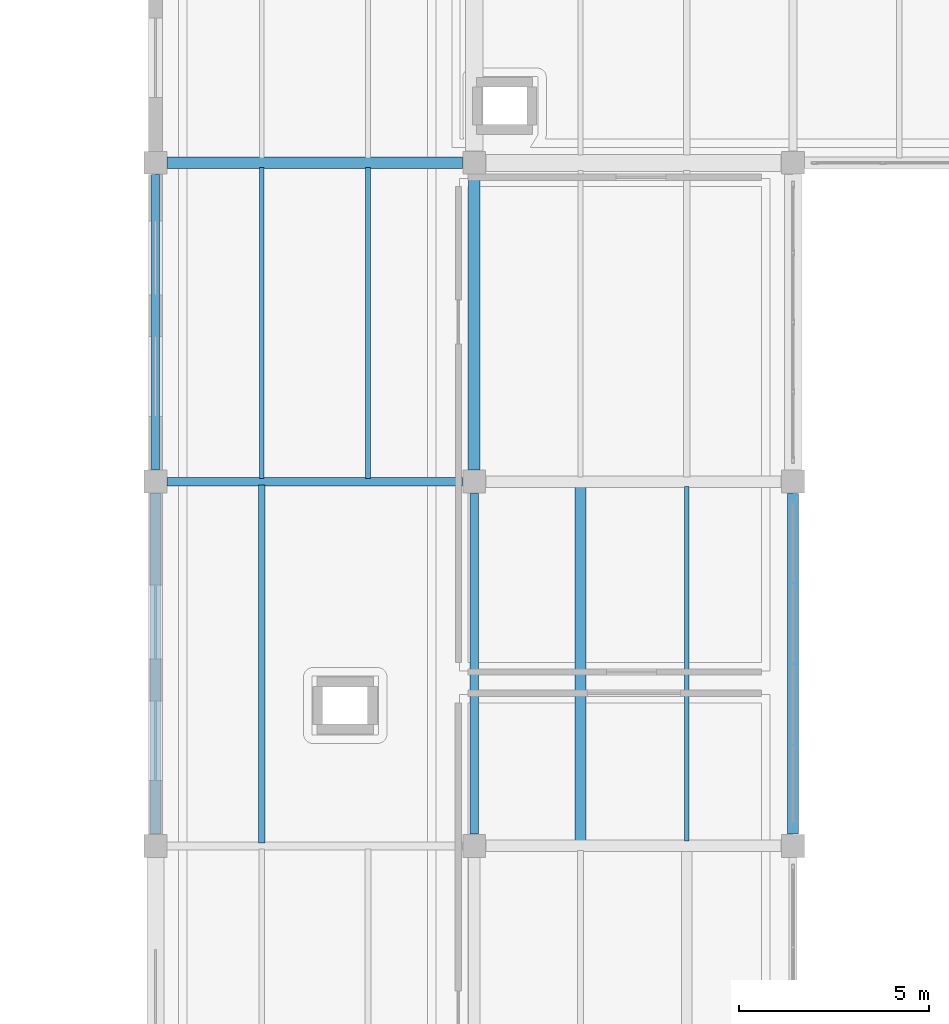
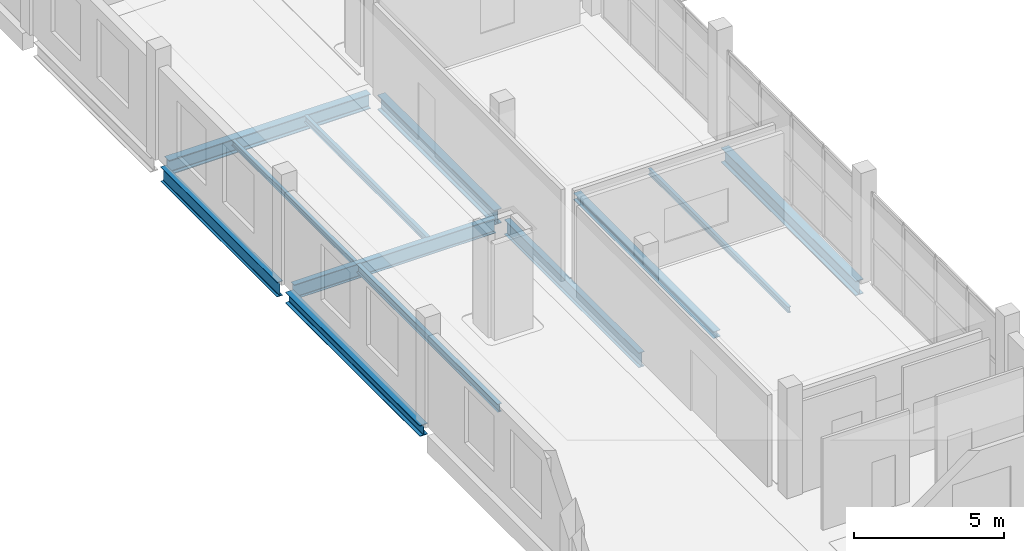
# One storey, part 27 of 54: 12 beams.
"""IFC4 building model written with IfcOpenShell, lengths in metres."""

from ifc_helpers import new_model, si_unit, direction, frame, origin, origin_2d, place, context, subcontext, project, spatial, i_section, extrude, material, material_profile, profile_set, type_object, element, save


model = new_model("IFC4")

# Units and contexts
model_context = context("Model", 3, precision=1e-05, world=origin(), true_north=direction((0.0, 1.0)))
body_context = subcontext(model_context, "Body", "Model", "MODEL_VIEW")
ifc_project = project(units=[si_unit("LENGTHUNIT", "METRE"), si_unit("AREAUNIT", "SQUARE_METRE"), si_unit("VOLUMEUNIT", "CUBIC_METRE"), si_unit("PLANEANGLEUNIT", "RADIAN"), si_unit("MASSUNIT", "GRAM", prefix="KILO")], contexts=[model_context])

# Site, building, storey
site_placement = place(None, origin())
site = spatial("IfcSite", under=ifc_project, at=site_placement, CompositionType="ELEMENT")
building_placement = place(site_placement, origin())
building = spatial("IfcBuilding", under=site, at=building_placement, Name="Zulmaris Art Gallery", CompositionType="ELEMENT")
storey_placement = place(building_placement, frame((0.0, 0.0, 26.39990234375)))
storey = spatial("IfcBuildingStorey", under=building, at=storey_placement, Name="L05", CompositionType="ELEMENT", Elevation=26.39990234375)

# Beams
ifc_material = material(Name="Steel S355J2", Category="steel")
ifc_material_profile_1 = material_profile(ifc_material, i_section(OverallWidth=0.219970703125, OverallDepth=0.60009765625, WebThickness=0.011962890625, FlangeThickness=0.01904296875, FilletRadius=0.02392578125, at=origin_2d()), Name="IPE 600")
ifc_profile_set_1 = profile_set([ifc_material_profile_1], Name="Steel S355J2")
beam_type_1 = type_object("IfcBeamType", Name="BEAM-BM07", PredefinedType="BEAM", material=ifc_profile_set_1)
for number, where, z_axis, x_axis, name in (
    (1, (141.909912109375, 50.39990234375, -0.60986328125), (1.0, 0.0, 0.0), (0.0, 1.0, 0.0), "L05 X-girder (141.6..150.0, y=50.4)"),
    (2, (141.60009765625, 50.7099609375, -0.60986328125), (0.0, 1.0, 0.0), (-1.0, 0.0, 0.0), "L05 Y-girder (x=141.6, 50.4..58.8)"),
):
    element("IfcBeam", number, at=place(storey_placement, frame(where, z_axis=z_axis, x_axis=x_axis)), inside=storey, type_object=beam_type_1, Name=name, PredefinedType="BEAM", context=body_context, shape_type="SweptSolid", body=[
        extrude(i_section(OverallWidth=0.219970703125, OverallDepth=0.60009765625, WebThickness=0.011962890625, FlangeThickness=0.01904296875, FilletRadius=0.02392578125, at=origin_2d()), origin(), (0.0, 0.0, 1.0), 7.780029296875),
    ])
beam_1_placement = place(storey_placement, frame((150.0, 41.110107421875, -0.60986328125), z_axis=(0.0, 1.0, 0.0), x_axis=(-1.0, 0.0, 0.0)))
element("IfcBeam", 3, at=beam_1_placement, inside=storey, type_object=beam_type_1, Name="L05 Y-girder (x=150.0, 40.8..50.4)", PredefinedType="BEAM", context=body_context, shape_type="SweptSolid", body=[
    extrude(i_section(OverallWidth=0.219970703125, OverallDepth=0.60009765625, WebThickness=0.011962890625, FlangeThickness=0.01904296875, FilletRadius=0.02392578125, at=origin_2d()), origin(), (0.0, 0.0, 1.0), 8.97998046875),
])
ifc_material_profile_2 = material_profile(ifc_material, i_section(OverallWidth=0.300048828125, OverallDepth=0.449951171875, WebThickness=0.013916015625, FlangeThickness=0.02587890625, FilletRadius=0.027099609375, at=origin_2d()), Name="HEB 450")
ifc_profile_set_2 = profile_set([ifc_material_profile_2], Name="Steel S355J2")
beam_type_2 = type_object("IfcBeamType", Name="BEAM-BM13", PredefinedType="BEAM", material=ifc_profile_set_2)
beam_2_placement = place(storey_placement, frame((141.60009765625, 41.110107421875, -0.534912109375), z_axis=(0.0, 1.0, 0.0), x_axis=(-1.0, 0.0, 0.0)))
element("IfcBeam", 4, at=beam_2_placement, inside=storey, type_object=beam_type_2, Name="L05 Y-girder (x=141.6, 40.8..50.4)", PredefinedType="BEAM", context=body_context, shape_type="SweptSolid", body=[
    extrude(i_section(OverallWidth=0.300048828125, OverallDepth=0.449951171875, WebThickness=0.013916015625, FlangeThickness=0.02587890625, FilletRadius=0.027099609375, at=origin_2d()), origin(), (0.0, 0.0, 1.0), 8.97998046875),
])
ifc_material_profile_3 = material_profile(ifc_material, i_section(OverallWidth=0.300048828125, OverallDepth=0.60009765625, WebThickness=0.015380859375, FlangeThickness=0.030029296875, FilletRadius=0.027099609375, at=origin_2d()), Name="HEB 600")
ifc_profile_set_3 = profile_set([ifc_material_profile_3], Name="Steel S355J2")
beam_type_3 = type_object("IfcBeamType", Name="BEAM-BM15", PredefinedType="BEAM", material=ifc_profile_set_3)
for number, where, z_axis, x_axis, name in (
    (5, (141.909912109375, 58.800048828125, -0.60986328125), (1.0, 0.0, 0.0), (0.0, 1.0, 0.0), "L05 X-girder (141.6..150.0, y=58.8)"),
    (6, (150.0, 50.7099609375, -0.60986328125), (0.0, 1.0, 0.0), (-1.0, 0.0, 0.0), "L05 Y-girder (x=150.0, 50.4..58.8)"),
):
    element("IfcBeam", number, at=place(storey_placement, frame(where, z_axis=z_axis, x_axis=x_axis)), inside=storey, type_object=beam_type_3, Name=name, PredefinedType="BEAM", context=body_context, shape_type="SweptSolid", body=[
        extrude(i_section(OverallWidth=0.300048828125, OverallDepth=0.60009765625, WebThickness=0.015380859375, FlangeThickness=0.030029296875, FilletRadius=0.027099609375, at=origin_2d()), origin(), (0.0, 0.0, 1.0), 7.780029296875),
    ])
beam_3_placement = place(storey_placement, frame((158.39990234375, 41.110107421875, -0.60986328125), z_axis=(0.0, 1.0, 0.0), x_axis=(-1.0, 0.0, 0.0)))
element("IfcBeam", 7, at=beam_3_placement, inside=storey, type_object=beam_type_3, Name="L05 Y-girder (x=158.4, 40.8..50.4)", PredefinedType="BEAM", context=body_context, shape_type="SweptSolid", body=[
    extrude(i_section(OverallWidth=0.300048828125, OverallDepth=0.60009765625, WebThickness=0.015380859375, FlangeThickness=0.030029296875, FilletRadius=0.027099609375, at=origin_2d()), origin(), (0.0, 0.0, 1.0), 8.97998046875),
])
ifc_material_profile_4 = material_profile(ifc_material, i_section(OverallWidth=0.1201171875, OverallDepth=0.239990234375, WebThickness=0.006103515625, FlangeThickness=0.009765625, FilletRadius=0.014892578125, at=origin_2d()), Name="IPE 240")
ifc_profile_set_4 = profile_set([ifc_material_profile_4], Name="Steel S355J2")
beam_type_4 = type_object("IfcBeamType", Name="BEAM-JS01", PredefinedType="JOIST", material=ifc_profile_set_4)
beam_4_placement = place(storey_placement, frame((144.39990234375, 50.485107421875, -0.429931640625), z_axis=(0.0, 1.0, 0.0), x_axis=(-1.0, 0.0, 0.0)))
element("IfcBeam", 8, at=beam_4_placement, inside=storey, type_object=beam_type_4, Name="L05 secondary joist at x=144.4", PredefinedType="JOIST", context=body_context, shape_type="SweptSolid", body=[
    extrude(i_section(OverallWidth=0.1201171875, OverallDepth=0.239990234375, WebThickness=0.006103515625, FlangeThickness=0.009765625, FilletRadius=0.014892578125, at=origin_2d()), origin(), (0.0, 0.0, 1.0), 8.18994140625),
])
beam_5_placement = place(storey_placement, frame((155.60009765625, 40.925048828125, -0.429931640625), z_axis=(0.0, 1.0, 0.0), x_axis=(-1.0, 0.0, 0.0)))
element("IfcBeam", 9, at=beam_5_placement, inside=storey, type_object=beam_type_4, Name="L05 secondary joist at x=155.6", PredefinedType="JOIST", context=body_context, shape_type="SweptSolid", body=[
    extrude(i_section(OverallWidth=0.1201171875, OverallDepth=0.239990234375, WebThickness=0.006103515625, FlangeThickness=0.009765625, FilletRadius=0.014892578125, at=origin_2d()), origin(), (0.0, 0.0, 1.0), 9.349853515625),
])
ifc_material_profile_5 = material_profile(ifc_material, i_section(OverallWidth=0.135009765625, OverallDepth=0.27001953125, WebThickness=0.006591796875, FlangeThickness=0.01025390625, FilletRadius=0.014892578125, at=origin_2d()), Name="IPE 270")
ifc_profile_set_5 = profile_set([ifc_material_profile_5], Name="Steel S355J2")
beam_type_5 = type_object("IfcBeamType", Name="BEAM-JS02", PredefinedType="JOIST", material=ifc_profile_set_5)
beam_6_placement = place(storey_placement, frame((147.199951171875, 50.485107421875, -0.44482421875), z_axis=(0.0, 1.0, 0.0), x_axis=(-1.0, 0.0, 0.0)))
element("IfcBeam", 10, at=beam_6_placement, inside=storey, type_object=beam_type_5, Name="L05 secondary joist at x=147.2", PredefinedType="JOIST", context=body_context, shape_type="SweptSolid", body=[
    extrude(i_section(OverallWidth=0.135009765625, OverallDepth=0.27001953125, WebThickness=0.006591796875, FlangeThickness=0.01025390625, FilletRadius=0.014892578125, at=origin_2d()), origin(), (0.0, 0.0, 1.0), 8.18994140625),
])
ifc_material_profile_6 = material_profile(ifc_material, i_section(OverallWidth=0.159912109375, OverallDepth=0.330078125, WebThickness=0.007568359375, FlangeThickness=0.011474609375, FilletRadius=0.01806640625, at=origin_2d()), Name="IPE 330")
ifc_profile_set_6 = profile_set([ifc_material_profile_6], Name="Steel S355J2")
beam_type_6 = type_object("IfcBeamType", Name="BEAM-JS03", PredefinedType="JOIST", material=ifc_profile_set_6)
beam_7_placement = place(storey_placement, frame((144.39990234375, 40.8798828125, -0.474853515625), z_axis=(0.0, 1.0, 0.0), x_axis=(-1.0, 0.0, 0.0)))
element("IfcBeam", 11, at=beam_7_placement, inside=storey, type_object=beam_type_6, Name="L05 secondary joist at x=144.4", PredefinedType="JOIST", context=body_context, shape_type="SweptSolid", body=[
    extrude(i_section(OverallWidth=0.159912109375, OverallDepth=0.330078125, WebThickness=0.007568359375, FlangeThickness=0.011474609375, FilletRadius=0.01806640625, at=origin_2d()), origin(), (0.0, 0.0, 1.0), 9.43505859375),
])
ifc_material_profile_7 = material_profile(ifc_material, i_section(OverallWidth=0.280029296875, OverallDepth=0.27001953125, WebThickness=0.008056640625, FlangeThickness=0.012939453125, FilletRadius=0.02392578125, at=origin_2d()), Name="HEA 280")
ifc_profile_set_7 = profile_set([ifc_material_profile_7], Name="Steel S355J2")
beam_type_7 = type_object("IfcBeamType", Name="BEAM-JS04", PredefinedType="JOIST", material=ifc_profile_set_7)
beam_8_placement = place(storey_placement, frame((152.800048828125, 40.925048828125, -0.44482421875), z_axis=(0.0, 1.0, 0.0), x_axis=(-1.0, 0.0, 0.0)))
element("IfcBeam", 12, at=beam_8_placement, inside=storey, type_object=beam_type_7, Name="L05 secondary joist at x=152.8", PredefinedType="JOIST", context=body_context, shape_type="SweptSolid", body=[
    extrude(i_section(OverallWidth=0.280029296875, OverallDepth=0.27001953125, WebThickness=0.008056640625, FlangeThickness=0.012939453125, FilletRadius=0.02392578125, at=origin_2d()), origin(), (0.0, 0.0, 1.0), 9.349853515625),
])

save(model, "model.ifc")
